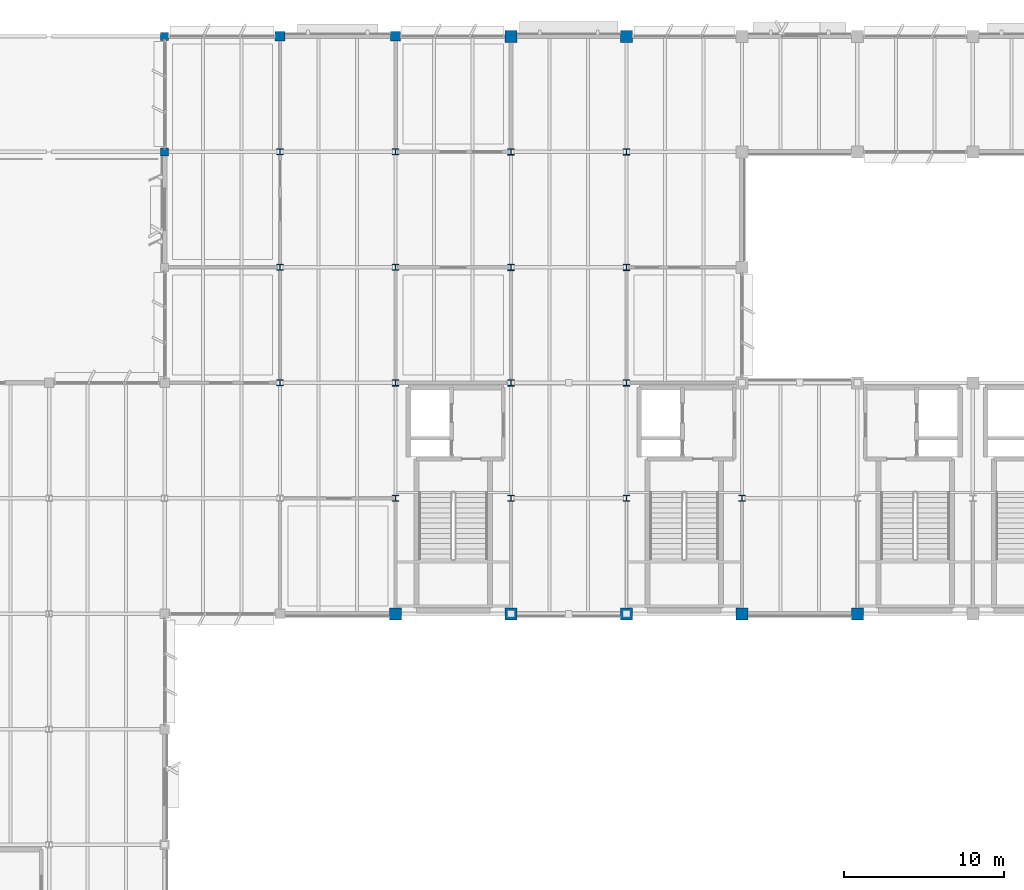
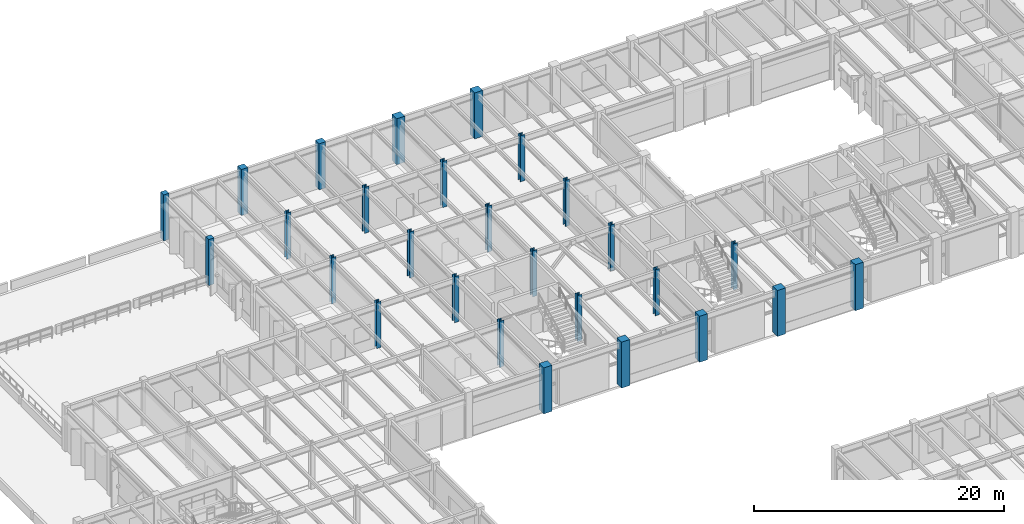
# One storey, part 10 of 92: 27 columns.
"""IFC4 building model written with IfcOpenShell, lengths in metres."""

from ifc_helpers import new_model, si_unit, direction, frame, origin, origin_2d, place, context, subcontext, project, spatial, rectangle, i_section, extrude, material, material_profile, profile_set, type_object, element, save


model = new_model("IFC4")

# Units and contexts
model_context = context("Model", 3, precision=1e-05, world=origin(), true_north=direction((0.0, 1.0)))
body_context = subcontext(model_context, "Body", "Model", "MODEL_VIEW")
ifc_project = project(units=[si_unit("LENGTHUNIT", "METRE"), si_unit("AREAUNIT", "SQUARE_METRE"), si_unit("VOLUMEUNIT", "CUBIC_METRE"), si_unit("PLANEANGLEUNIT", "RADIAN"), si_unit("MASSUNIT", "GRAM", prefix="KILO")], contexts=[model_context])

# Site, building, storey
site_placement = place(None, origin())
site = spatial("IfcSite", under=ifc_project, at=site_placement, CompositionType="ELEMENT")
building_placement = place(site_placement, origin())
building = spatial("IfcBuilding", under=site, at=building_placement, Name="Sillqori Civic Hall", CompositionType="ELEMENT")
storey_placement = place(building_placement, frame((0.0, 0.0, 5.39990234375)))
storey = spatial("IfcBuildingStorey", under=building, at=storey_placement, Name="L02", CompositionType="ELEMENT", Elevation=5.39990234375)

# Columns
ifc_material_1 = material(Name="Concrete C35/45 (H35)", Category="concrete")
ifc_material_profile_1 = material_profile(ifc_material_1, rectangle(XDim=0.5, YDim=0.5, at=origin_2d()), Name="RC 500x500")
ifc_profile_set_1 = profile_set([ifc_material_profile_1], Name="Concrete C35/45 (H35)")
column_type_1 = type_object("IfcColumnType", Name="COL-RC500", PredefinedType="COLUMN", material=ifc_profile_set_1)
for number, where, z_axis, x_axis, name in (
    (1, (36.0, 108.0, 0.0), (0.0, 0.0, 1.0), (1.0, 0.0, 0.0), "L02 column 5-15"),
    (2, (36.0, 115.199951171875, 0.0), (0.0, 0.0, 1.0), (1.0, 0.0, 0.0), "L02 column 5-16"),
):
    element("IfcColumn", number, at=place(storey_placement, frame(where, z_axis=z_axis, x_axis=x_axis)), inside=storey, type_object=column_type_1, Name=name, PredefinedType="COLUMN", context=body_context, shape_type="SweptSolid", body=[
        extrude(rectangle(XDim=0.5, YDim=0.5, at=origin_2d()), origin(), (0.0, 0.0, 1.0), 4.5),
    ])
ifc_material_profile_2 = material_profile(ifc_material_1, rectangle(XDim=0.60009765625, YDim=0.60009765625, at=origin_2d()), Name="RC 600x600")
ifc_profile_set_2 = profile_set([ifc_material_profile_2], Name="Concrete C35/45 (H35)")
column_type_2 = type_object("IfcColumnType", Name="COL-RC600", PredefinedType="COLUMN", material=ifc_profile_set_2)
for number, where, z_axis, x_axis, name in (
    (3, (43.199951171875, 115.199951171875, 0.0), (0.0, 0.0, 1.0), (1.0, 0.0, 0.0), "L02 column 6-16"),
    (4, (50.39990234375, 115.199951171875, 0.0), (0.0, 0.0, 1.0), (1.0, 0.0, 0.0), "L02 column 7-16"),
):
    element("IfcColumn", number, at=place(storey_placement, frame(where, z_axis=z_axis, x_axis=x_axis)), inside=storey, type_object=column_type_2, Name=name, PredefinedType="COLUMN", context=body_context, shape_type="SweptSolid", body=[
        extrude(rectangle(XDim=0.60009765625, YDim=0.60009765625, at=origin_2d()), origin(), (0.0, 0.0, 1.0), 4.5),
    ])
ifc_material_profile_3 = material_profile(ifc_material_1, rectangle(XDim=0.75, YDim=0.75, at=origin_2d()), Name="RC 750x750")
ifc_profile_set_3 = profile_set([ifc_material_profile_3], Name="Concrete C35/45 (H35)")
column_type_3 = type_object("IfcColumnType", Name="COL-RC750", PredefinedType="COLUMN", material=ifc_profile_set_3)
for number, where, z_axis, x_axis, name in (
    (5, (50.39990234375, 79.199951171875, 0.0), (0.0, 0.0, 1.0), (1.0, 0.0, 0.0), "L02 column 7-11"),
    (6, (57.60009765625, 79.199951171875, 0.0), (0.0, 0.0, 1.0), (1.0, 0.0, 0.0), "L02 column 8-11"),
    (7, (57.60009765625, 115.199951171875, 0.0), (0.0, 0.0, 1.0), (1.0, 0.0, 0.0), "L02 column 8-16"),
    (8, (64.800048828125, 79.199951171875, 0.0), (0.0, 0.0, 1.0), (1.0, 0.0, 0.0), "L02 column 9-11"),
    (9, (64.800048828125, 115.199951171875, 0.0), (0.0, 0.0, 1.0), (1.0, 0.0, 0.0), "L02 column 9-16"),
    (10, (72.0, 79.199951171875, 0.0), (0.0, 0.0, 1.0), (1.0, 0.0, 0.0), "L02 column 10-11"),
    (11, (79.199951171875, 79.199951171875, 0.0), (0.0, 0.0, 1.0), (1.0, 0.0, 0.0), "L02 column 11-11"),
):
    element("IfcColumn", number, at=place(storey_placement, frame(where, z_axis=z_axis, x_axis=x_axis)), inside=storey, type_object=column_type_3, Name=name, PredefinedType="COLUMN", context=body_context, shape_type="SweptSolid", body=[
        extrude(rectangle(XDim=0.75, YDim=0.75, at=origin_2d()), origin(), (0.0, 0.0, 1.0), 4.5),
    ])
ifc_material_2 = material(Name="Steel ASTM A992", Category="steel")
ifc_material_profile_4 = material_profile(ifc_material_2, i_section(OverallWidth=0.39404296875, OverallDepth=0.3759765625, WebThickness=0.017333984375, FlangeThickness=0.027587890625, FilletRadius=0.014892578125, at=origin_2d()), Name="W14X145")
ifc_profile_set_4 = profile_set([ifc_material_profile_4], Name="Steel ASTM A992")
column_type_4 = type_object("IfcColumnType", Name="COL-W14X145", PredefinedType="COLUMN", material=ifc_profile_set_4)
for number, where, z_axis, x_axis, name in (
    (12, (43.199951171875, 93.60009765625, 0.0), (0.0, 0.0, 1.0), (1.0, 0.0, 0.0), "L02 column 6-13"),
    (13, (43.199951171875, 100.800048828125, 0.0), (0.0, 0.0, 1.0), (1.0, 0.0, 0.0), "L02 column 6-14"),
    (14, (43.199951171875, 108.0, 0.0), (0.0, 0.0, 1.0), (1.0, 0.0, 0.0), "L02 column 6-15"),
):
    element("IfcColumn", number, at=place(storey_placement, frame(where, z_axis=z_axis, x_axis=x_axis)), inside=storey, type_object=column_type_4, Name=name, PredefinedType="COLUMN", context=body_context, shape_type="SweptSolid", body=[
        extrude(i_section(OverallWidth=0.39404296875, OverallDepth=0.3759765625, WebThickness=0.017333984375, FlangeThickness=0.027587890625, FilletRadius=0.014892578125, at=origin_2d()), origin(), (0.0, 0.0, 1.0), 4.5),
    ])
ifc_material_profile_5 = material_profile(ifc_material_2, i_section(OverallWidth=0.39892578125, OverallDepth=0.385986328125, WebThickness=0.02099609375, FlangeThickness=0.033203125, FilletRadius=0.014892578125, at=origin_2d()), Name="W14X176")
ifc_profile_set_5 = profile_set([ifc_material_profile_5], Name="Steel ASTM A992")
column_type_5 = type_object("IfcColumnType", Name="COL-W14X176", PredefinedType="COLUMN", material=ifc_profile_set_5)
for number, where, z_axis, x_axis, name in (
    (15, (50.39990234375, 100.800048828125, 0.0), (0.0, 0.0, 1.0), (1.0, 0.0, 0.0), "L02 column 7-14"),
    (16, (50.39990234375, 108.0, 0.0), (0.0, 0.0, 1.0), (1.0, 0.0, 0.0), "L02 column 7-15"),
):
    element("IfcColumn", number, at=place(storey_placement, frame(where, z_axis=z_axis, x_axis=x_axis)), inside=storey, type_object=column_type_5, Name=name, PredefinedType="COLUMN", context=body_context, shape_type="SweptSolid", body=[
        extrude(i_section(OverallWidth=0.39892578125, OverallDepth=0.385986328125, WebThickness=0.02099609375, FlangeThickness=0.033203125, FilletRadius=0.014892578125, at=origin_2d()), origin(), (0.0, 0.0, 1.0), 4.5),
    ])
ifc_material_profile_6 = material_profile(ifc_material_2, i_section(OverallWidth=0.39892578125, OverallDepth=0.39404296875, WebThickness=0.022705078125, FlangeThickness=0.03662109375, FilletRadius=0.014892578125, at=origin_2d()), Name="W14X193")
ifc_profile_set_6 = profile_set([ifc_material_profile_6], Name="Steel ASTM A992")
column_type_6 = type_object("IfcColumnType", Name="COL-W14X193", PredefinedType="COLUMN", material=ifc_profile_set_6)
for number, where, z_axis, x_axis, name in (
    (17, (50.39990234375, 86.39990234375, 0.0), (0.0, 0.0, 1.0), (1.0, 0.0, 0.0), "L02 column 7-12"),
    (18, (50.39990234375, 93.60009765625, 0.0), (0.0, 0.0, 1.0), (1.0, 0.0, 0.0), "L02 column 7-13"),
    (19, (57.60009765625, 86.39990234375, 0.0), (0.0, 0.0, 1.0), (1.0, 0.0, 0.0), "L02 column 8-12"),
    (20, (57.60009765625, 93.60009765625, 0.0), (0.0, 0.0, 1.0), (1.0, 0.0, 0.0), "L02 column 8-13"),
    (21, (57.60009765625, 100.800048828125, 0.0), (0.0, 0.0, 1.0), (1.0, 0.0, 0.0), "L02 column 8-14"),
    (22, (57.60009765625, 108.0, 0.0), (0.0, 0.0, 1.0), (1.0, 0.0, 0.0), "L02 column 8-15"),
    (23, (64.800048828125, 86.39990234375, 0.0), (0.0, 0.0, 1.0), (1.0, 0.0, 0.0), "L02 column 9-12"),
    (24, (64.800048828125, 93.60009765625, 0.0), (0.0, 0.0, 1.0), (1.0, 0.0, 0.0), "L02 column 9-13"),
    (25, (64.800048828125, 100.800048828125, 0.0), (0.0, 0.0, 1.0), (1.0, 0.0, 0.0), "L02 column 9-14"),
    (26, (64.800048828125, 108.0, 0.0), (0.0, 0.0, 1.0), (1.0, 0.0, 0.0), "L02 column 9-15"),
    (27, (72.0, 86.39990234375, 0.0), (0.0, 0.0, 1.0), (1.0, 0.0, 0.0), "L02 column 10-12"),
):
    element("IfcColumn", number, at=place(storey_placement, frame(where, z_axis=z_axis, x_axis=x_axis)), inside=storey, type_object=column_type_6, Name=name, PredefinedType="COLUMN", context=body_context, shape_type="SweptSolid", body=[
        extrude(i_section(OverallWidth=0.39892578125, OverallDepth=0.39404296875, WebThickness=0.022705078125, FlangeThickness=0.03662109375, FilletRadius=0.014892578125, at=origin_2d()), origin(), (0.0, 0.0, 1.0), 4.5),
    ])

save(model, "model.ifc")
